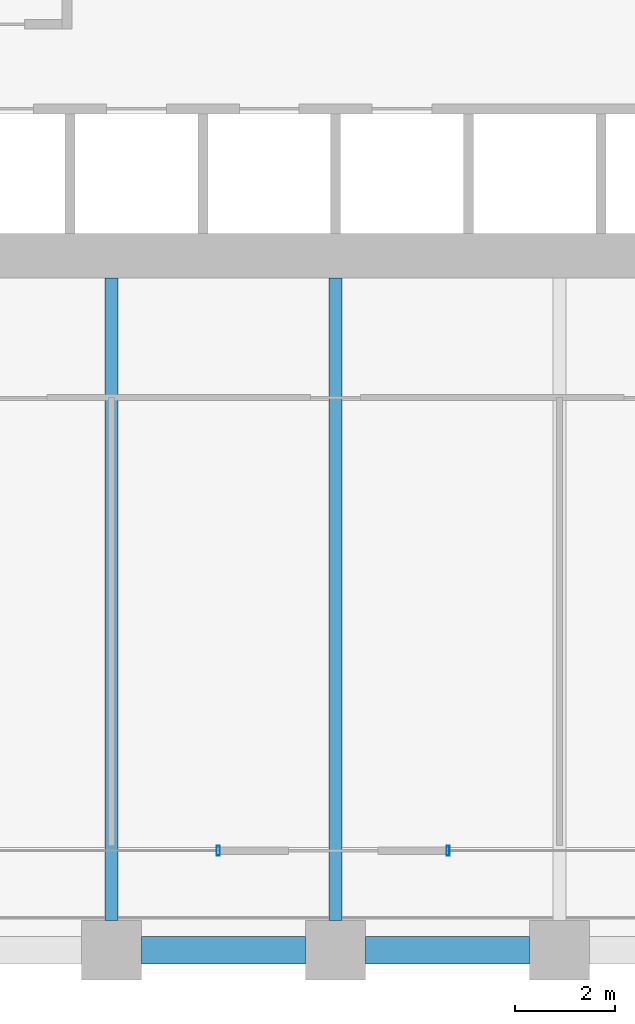
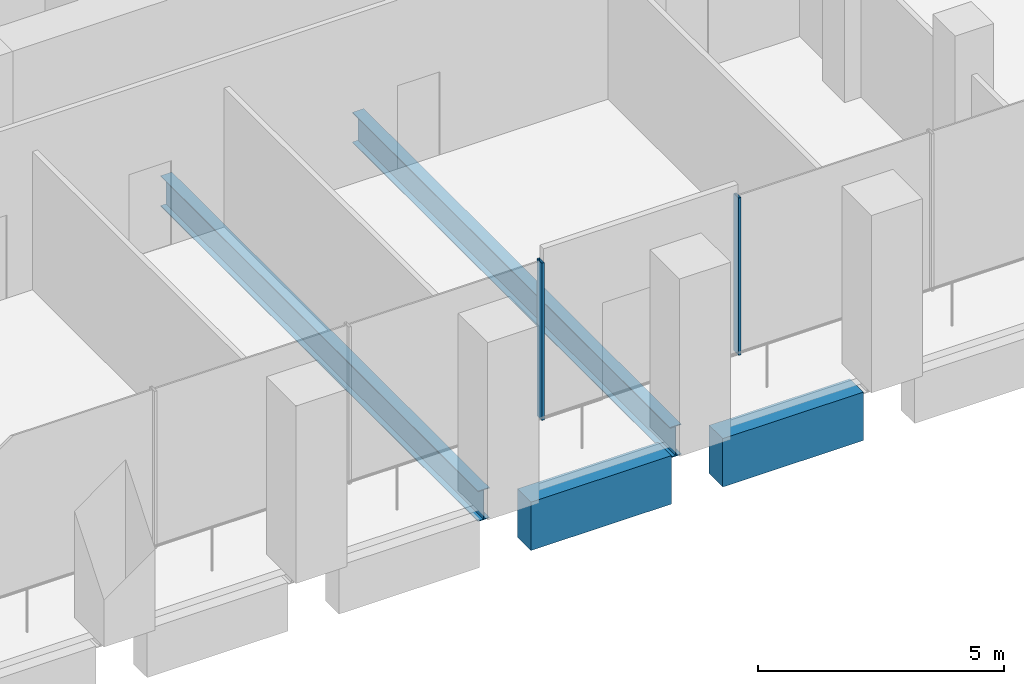
# One storey, part 5 of 36: 4 beams, 2 members, 2 elements without a shape of their own.
"""IFC4 building model written with IfcOpenShell, lengths in metres."""

from ifc_helpers import new_model, si_unit, direction, frame, origin, origin_2d, place, context, subcontext, project, spatial, rectangle, hollow_rectangle, i_section, extrude, material, material_profile, profile_set, type_object, element, aggregate, save


model = new_model("IFC4")

# Units and contexts
model_context = context("Model", 3, precision=1e-05, world=origin(), true_north=direction((0.0, 1.0)))
body_context = subcontext(model_context, "Body", "Model", "MODEL_VIEW")
ifc_project = project(units=[si_unit("LENGTHUNIT", "METRE"), si_unit("AREAUNIT", "SQUARE_METRE"), si_unit("VOLUMEUNIT", "CUBIC_METRE"), si_unit("PLANEANGLEUNIT", "RADIAN"), si_unit("MASSUNIT", "GRAM", prefix="KILO")], contexts=[model_context])

# Site, building, storey
site_placement = place(None, origin())
site = spatial("IfcSite", under=ifc_project, at=site_placement, CompositionType="ELEMENT")
building_placement = place(site_placement, origin())
building = spatial("IfcBuilding", under=site, at=building_placement, Name="Altepetl Exchange Towers", CompositionType="ELEMENT")
storey_placement = place(building_placement, frame((0.0, 0.0, 25.39990234375)))
storey = spatial("IfcBuildingStorey", under=building, at=storey_placement, Name="L05", CompositionType="ELEMENT", Elevation=25.39990234375)

# Beams
ifc_material_1 = material(Name="Steel S355", Category="steel")
ifc_material_profile_1 = material_profile(ifc_material_1, i_section(OverallWidth=0.26611328125, OverallDepth=0.758056640625, WebThickness=0.013916015625, FlangeThickness=0.019287109375, at=origin_2d()), Name="W30X108")
ifc_profile_set_1 = profile_set([ifc_material_profile_1], Name="Steel S355")
beam_type_1 = type_object("IfcBeamType", Name="Floor beam W30X108", PredefinedType="BEAM", material=ifc_profile_set_1)
for number, where, z_axis, x_axis, name in (
    (1, (45.0, 27.60009765625, -0.553955078125), (0.0, 1.0, 0.0), (-1.0, 0.0, 0.0), "bm:A:L05:015"),
    (2, (49.5, 27.60009765625, -0.553955078125), (0.0, 1.0, 0.0), (-1.0, 0.0, 0.0), "bm:A:L05:016"),
):
    element("IfcBeam", number, at=place(storey_placement, frame(where, z_axis=z_axis, x_axis=x_axis)), inside=storey, type_object=beam_type_1, Name=name, PredefinedType="BEAM", context=body_context, shape_type="SweptSolid", body=[
        extrude(i_section(OverallWidth=0.26611328125, OverallDepth=0.758056640625, WebThickness=0.013916015625, FlangeThickness=0.019287109375, at=origin_2d()), origin(), (0.0, 0.0, 1.0), 12.89990234375),
    ])

# Curtain wall, member
ifc_material_2 = material(Name="Aluminium 6063-T6 glazing", Category="aluminium")
curtain_wall_type = type_object("IfcCurtainWallType", Name="Trading floor glazing system", PredefinedType="NOTDEFINED", material=ifc_material_2)
curtain_wall_1_placement = place(storey_placement, origin())
curtain_wall_1 = element("IfcCurtainWall", 3, at=curtain_wall_1_placement, inside=storey, type_object=curtain_wall_type, Name="CW2 run", PredefinedType="NOTDEFINED")
ifc_material_3 = material(Name="Aluminium 6063-T6", Category="aluminium")
ifc_material_profile_2 = material_profile(ifc_material_3, hollow_rectangle(XDim=0.06005859375, YDim=0.199951171875, WallThickness=0.0029296875, at=origin_2d()), Name="Mullion 60x200 aluminium")
ifc_profile_set_2 = profile_set([ifc_material_profile_2], Name="Aluminium 6063-T6")
member_type = type_object("IfcMemberType", Name="Mullion 60x200 aluminium", PredefinedType="MULLION", material=ifc_profile_set_2)
member_1_placement = place(storey_placement, frame((47.141357421875, 29.0, 0.0)))
member_1 = element("IfcMember", 4, at=member_1_placement, type_object=member_type, Name="MU2 mullion", PredefinedType="MULLION", context=body_context, shape_type="SweptSolid", body=[
    extrude(hollow_rectangle(XDim=0.06005859375, YDim=0.199951171875, WallThickness=0.0029296875, at=origin_2d()), origin(), (0.0, 0.0, 1.0), 3.900146484375),
])
aggregate(curtain_wall_1, [member_1])

curtain_wall_2_placement = place(storey_placement, origin())
curtain_wall_2 = element("IfcCurtainWall", 5, at=curtain_wall_2_placement, inside=storey, type_object=curtain_wall_type, Name="CW2 run", PredefinedType="NOTDEFINED")
member_2_placement = place(storey_placement, frame((51.758544921875, 29.0, 0.0)))
member_2 = element("IfcMember", 6, at=member_2_placement, type_object=member_type, Name="MU2 mullion", PredefinedType="MULLION", context=body_context, shape_type="SweptSolid", body=[
    extrude(hollow_rectangle(XDim=0.06005859375, YDim=0.199951171875, WallThickness=0.0029296875, at=origin_2d()), origin(), (0.0, 0.0, 1.0), 3.900146484375),
])
aggregate(curtain_wall_2, [member_2])

# Beams
ifc_material_4 = material(Name="Concrete C50/60 precast with cantera blanca facing", Category="concrete")
ifc_material_profile_3 = material_profile(ifc_material_4, rectangle(XDim=0.550048828125, YDim=1.199951171875, at=origin_2d()), Name="550 x 1200")
ifc_profile_set_3 = profile_set([ifc_material_profile_3], Name="Concrete C50/60 precast with cantera blanca facing")
beam_type_2 = type_object("IfcBeamType", Name="Spandrel beam 550x1200 cantera blanca", PredefinedType="SPANDREL", material=ifc_profile_set_3)
for number, where, z_axis, x_axis, name in (
    (7, (45.60009765625, 27.0, -0.77490234375), (1.0, 0.0, 0.0), (0.0, 1.0, 0.0), "sp:A:L05:003"),
    (8, (50.10009765625, 27.0, -0.77490234375), (1.0, 0.0, 0.0), (0.0, 1.0, 0.0), "sp:A:L05:004"),
):
    element("IfcBeam", number, at=place(storey_placement, frame(where, z_axis=z_axis, x_axis=x_axis)), inside=storey, type_object=beam_type_2, Name=name, PredefinedType="SPANDREL", context=body_context, shape_type="SweptSolid", body=[
        extrude(rectangle(XDim=0.550048828125, YDim=1.199951171875, at=origin_2d()), origin(), (0.0, 0.0, 1.0), 3.2998046875),
    ])

save(model, "model.ifc")
